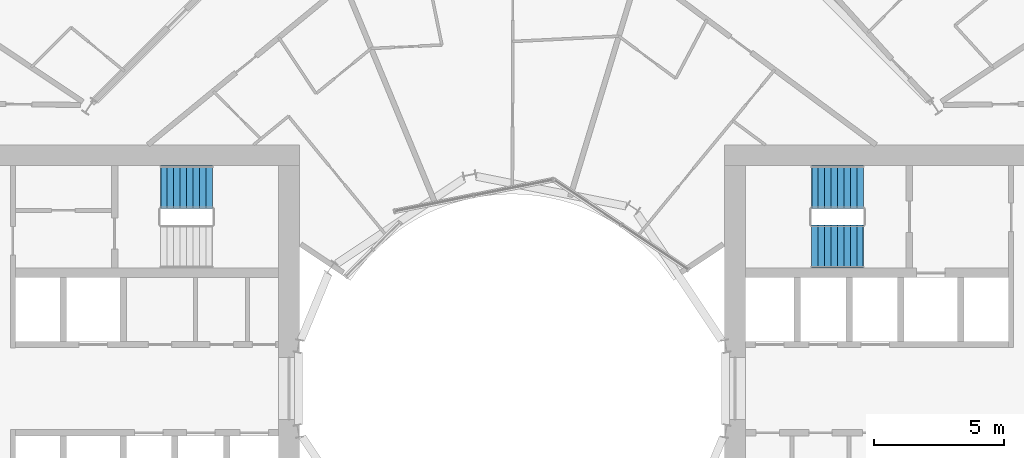
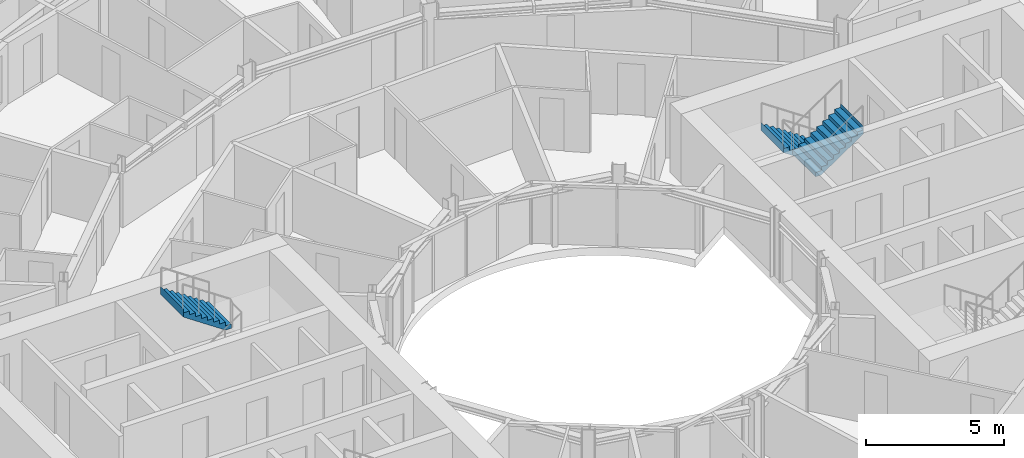
# One storey, part 24 of 25: 3 stair flights, 2 elements without a shape of their own.
"""IFC4 building model written with IfcOpenShell, lengths in metres."""

import ifcopenshell
import ifcopenshell.guid

model = None  # the IFC model being written
_history = None  # IfcOwnerHistory: only IFC2X3 demands one
_inside = {}  # id of a spatial element -> (the spatial element, [elements in it])
_under = {}  # id of a project, library or spatial element -> (it, [spatial elements below it])
_declared = {}  # id of a project -> (the project, [libraries it declares])
_typed = {}  # id of a type object -> (the type object, [elements of that type])
_made_of = {}  # id of a material, layer set ... -> (it, [elements and type objects made of it])


def new_model(schema):
    """Start an empty IFC model of exactly this schema.

    Asked for "IFC4X3", IfcOpenShell would pick the latest addendum, in which some entities
    have other attributes; the version numbers below select the first issue.
    IFC2X3 requires an IfcOwnerHistory on every rooted entity: one is made here for all.
    """
    global model, _history
    if schema == "IFC4X3":
        model = ifcopenshell.file(schema_version=(4, 3, 0, 0))
    else:
        model = ifcopenshell.file(schema=schema)
    _inside.clear()
    _under.clear()
    _declared.clear()
    _typed.clear()
    _made_of.clear()
    _history = None
    if model.schema == "IFC2X3":
        org = make("IfcOrganization", Name="unknown")
        user = make(
            "IfcPersonAndOrganization",
            ThePerson=make("IfcPerson", FamilyName="unknown"),
            TheOrganization=org,
        )
        app = make(
            "IfcApplication",
            ApplicationDeveloper=org,
            Version="unknown",
            ApplicationFullName="unknown",
            ApplicationIdentifier="unknown",
        )
        _history = make(
            "IfcOwnerHistory",
            OwningUser=user,
            OwningApplication=app,
            ChangeAction="ADDED",
            CreationDate=0,
        )
    return model


def make(cls, **values):
    """One entity of the class cls with the attributes given. An attribute that is None is left unset."""
    return model.create_entity(
        cls, **{name: value for name, value in values.items() if value is not None}
    )


def rooted(cls, **values):
    """An entity with a GlobalId (a new one), such as an element, a storey or a relation."""
    return make(cls, GlobalId=ifcopenshell.guid.new(), OwnerHistory=_history, **values)


def si_unit(unit_type, name, prefix=None):
    """IfcSIUnit, for example si_unit("LENGTHUNIT", "METRE", prefix="MILLI")."""
    return make("IfcSIUnit", UnitType=unit_type, Prefix=prefix, Name=name)


def assignment(units):
    """IfcUnitAssignment: the units of a project."""
    return None if units is None else make("IfcUnitAssignment", Units=units)


def point(xyz):
    """IfcCartesianPoint."""
    return None if xyz is None else make("IfcCartesianPoint", Coordinates=xyz)


def direction(xyz):
    """IfcDirection."""
    return None if xyz is None else make("IfcDirection", DirectionRatios=xyz)


def frame(location, z_axis=None, x_axis=None):
    """IfcAxis2Placement3D, a coordinate frame: its origin and axes. An axis left out is left unset."""
    return make(
        "IfcAxis2Placement3D",
        Location=point(location),
        Axis=direction(z_axis),
        RefDirection=direction(x_axis),
    )


def origin():
    """The frame at (0, 0, 0) with its axes left unset."""
    return frame((0.0, 0.0, 0.0))


def place(relative_to, where):
    """IfcLocalPlacement: puts the frame where relative to a parent placement (None: the world)."""
    return make(
        "IfcLocalPlacement", PlacementRelTo=relative_to, RelativePlacement=where
    )


def context(
    kind, dimensions, precision=None, world=None, true_north=None, identifier=None
):
    """IfcGeometricRepresentationContext, for example the 3D "Model" context."""
    return make(
        "IfcGeometricRepresentationContext",
        ContextIdentifier=identifier,
        ContextType=kind,
        CoordinateSpaceDimension=dimensions,
        Precision=precision,
        WorldCoordinateSystem=world,
        TrueNorth=true_north,
    )


def subcontext(parent, identifier, kind, view, scale=None):
    """IfcGeometricRepresentationSubContext, for example "Body" below "Model"."""
    return make(
        "IfcGeometricRepresentationSubContext",
        ContextIdentifier=identifier,
        ContextType=kind,
        ParentContext=parent,
        TargetScale=scale,
        TargetView=view,
    )


def project(units=None, contexts=None):
    """IfcProject with its units and contexts."""
    return rooted(
        "IfcProject",
        Name="project",
        RepresentationContexts=contexts,
        UnitsInContext=assignment(units),
    )


def spatial(cls, under=None, at=None, **own):
    """A site, building, storey or space (cls), placed at a placement, below another one or the project."""
    s = rooted(cls, ObjectPlacement=at, **own)
    if under is not None:
        _under.setdefault(under.id(), (under, []))[1].append(s)
    return s


def point_list(points):
    """IfcCartesianPointList2D or 3D."""
    cls = (
        "IfcCartesianPointList2D" if len(points[0]) == 2 else "IfcCartesianPointList3D"
    )
    return make(cls, CoordList=points)


def triangles(points, corners, closed=None, point_numbers=None):
    """IfcTriangulatedFaceSet: each triangle names its three corners, points numbered from 1."""
    return make(
        "IfcTriangulatedFaceSet",
        Coordinates=point_list(points),
        Closed=closed,
        CoordIndex=corners,
        PnIndex=point_numbers,
    )


def shape(context_of_items, identifier, shape_type, items):
    """IfcShapeRepresentation: the items that make up one representation, for example the "Body"."""
    return make(
        "IfcShapeRepresentation",
        ContextOfItems=context_of_items,
        RepresentationIdentifier=identifier,
        RepresentationType=shape_type,
        Items=items,
    )


def material(Name=None, Category=None):
    """IfcMaterial."""
    return make("IfcMaterial", Name=Name, Category=Category)


def made_of(thing, what):
    """Note that an element or type object is made of a material, layer set ...; save() writes the relation."""
    if what is not None:
        _made_of.setdefault(what.id(), (what, []))[1].append(thing)
    return thing


def type_object(cls, material=None, **own):
    """A type object (cls), such as IfcWallType, which elements share."""
    return made_of(rooted(cls, **own), material)


def element(
    cls,
    number,
    at=None,
    inside=None,
    cuts=None,
    type_object=None,
    material=None,
    context=None,
    identifier="Body",
    shape_type=None,
    held_by="IfcProductDefinitionShape",
    body=None,
    shapes=None,
    **own,
):
    """One element of the class cls, such as IfcWall. Its Tag is "e" and its number.

    at: its placement. inside: the storey or other place that contains it. cuts: it is an
    opening in that element (IfcRelVoidsElement). A single representation is given by context,
    identifier, shape_type and body (its items); several are given by shapes. held_by: the class
    of the entity that holds the representations. save() writes the other relations.
    """
    e = rooted(cls, Tag="e%d" % number, ObjectPlacement=at, **own)
    if body is not None:
        shapes = [shape(context, identifier, shape_type, body)]
    if shapes is not None:
        e.Representation = make(held_by, Representations=shapes)
    if inside is not None:
        _inside.setdefault(inside.id(), (inside, []))[1].append(e)
    if cuts is not None:
        rooted(
            "IfcRelVoidsElement", RelatingBuildingElement=cuts, RelatedOpeningElement=e
        )
    if type_object is not None:
        _typed.setdefault(type_object.id(), (type_object, []))[1].append(e)
    return made_of(e, material)


def aggregate(whole, parts):
    """IfcRelAggregates: a whole, such as a stair, and the parts it consists of."""
    return rooted("IfcRelAggregates", RelatingObject=whole, RelatedObjects=parts)


def save(model, path):
    """Write the relations noted so far, then the file.

    IfcRelAggregates (storeys below a building ...), IfcRelContainedInSpatialStructure (elements
    in a storey), IfcRelDefinesByType, IfcRelAssociatesMaterial and IfcRelDeclares: one each for
    every whole, place, type object, material and project.
    """
    for whole, parts in _under.values():
        aggregate(whole, parts)
    for where, things in _inside.values():
        rooted(
            "IfcRelContainedInSpatialStructure",
            RelatedElements=things,
            RelatingStructure=where,
        )
    for kind, things in _typed.values():
        rooted("IfcRelDefinesByType", RelatedObjects=things, RelatingType=kind)
    for what, things in _made_of.values():
        rooted("IfcRelAssociatesMaterial", RelatedObjects=things, RelatingMaterial=what)
    for by, libraries in _declared.values():
        rooted("IfcRelDeclares", RelatingContext=by, RelatedDefinitions=libraries)
    model.write(path)


model = new_model("IFC4")

# Units and contexts
model_context = context("Model", 3, precision=1e-05, world=origin(), true_north=direction((0.0, 1.0)))
body_context = subcontext(model_context, "Body", "Model", "MODEL_VIEW")
ifc_project = project(units=[si_unit("LENGTHUNIT", "METRE"), si_unit("AREAUNIT", "SQUARE_METRE"), si_unit("VOLUMEUNIT", "CUBIC_METRE"), si_unit("PLANEANGLEUNIT", "RADIAN"), si_unit("MASSUNIT", "GRAM", prefix="KILO")], contexts=[model_context])

# Site, building, storey
site_placement = place(None, origin())
site = spatial("IfcSite", under=ifc_project, at=site_placement, CompositionType="ELEMENT")
building_placement = place(site_placement, origin())
building = spatial("IfcBuilding", under=site, at=building_placement, Name="Maasbend Ring Residences", CompositionType="ELEMENT")
storey_placement = place(building_placement, frame((0.0, 0.0, 41.10009765625)))
storey = spatial("IfcBuildingStorey", under=building, at=storey_placement, Name="L11", CompositionType="ELEMENT", Elevation=41.10009765625)

# Stair, stair flights
ifc_material_1 = material(Name="Concrete C40/50", Category="concrete")
stair_type = type_object("IfcStairType", Name="CORE STAIR 18 RISERS", PredefinedType="HALF_TURN_STAIR", material=ifc_material_1)
stair_1_placement = place(storey_placement, origin())
stair_1 = element("IfcStair", 1, at=stair_1_placement, inside=storey, type_object=stair_type, Name="L11 Exit stair ST-E1", PredefinedType="HALF_TURN_STAIR")
ifc_material_2 = material(Name="Concrete C40/50", Category="concrete")
stair_flight_type = type_object("IfcStairFlightType", Name="CORE STAIR FLIGHT 1650", PredefinedType="STRAIGHT", material=ifc_material_2)
stair_flight_1_placement = place(storey_placement, frame((13.550048828125, 7.77490234375, 0.0), z_axis=(0.0, 0.0, 1.0), x_axis=(-1.0, 0.0, 0.0)))
stair_flight_1 = element("IfcStairFlight", 2, at=stair_flight_1_placement, type_object=stair_flight_type, Name="ST-E1 flight 1", NumberOfRisers=9, NumberOfTreads=8, PredefinedType="STRAIGHT", RiserHeight=0.169444444, TreadLength=0.25, context=body_context, shape_type="Tessellation", body=[
    triangles([(0.24072265625, 0.824951171875, -0.02001953125), (2.0029296875, 0.824951171875, 1.174560546875), (2.0029296875, 0.824951171875, 1.52490234375), (1.989990234375, 0.824951171875, 1.35546875), (1.75, 0.824951171875, 1.35546875), (1.75, 0.824951171875, 1.18603515625), (1.5, 0.824951171875, 1.18603515625), (1.5, 0.824951171875, 1.0166015625), (1.25, 0.824951171875, 1.0166015625), (1.25, 0.824951171875, 0.84716796875), (1.0, 0.824951171875, 0.84716796875), (1.0, 0.824951171875, 0.677734375), (0.75, 0.824951171875, 0.677734375), (0.75, 0.824951171875, 0.50830078125), (0.5, 0.824951171875, 0.50830078125), (0.5, 0.824951171875, 0.3388671875), (0.25, 0.824951171875, 0.3388671875), (0.25, 0.824951171875, 0.16943359375), (0.0, 0.824951171875, 0.16943359375), (0.0, 0.824951171875, 0.0), (-0.0029296875, 0.824951171875, 0.0), (-0.0029296875, 0.824951171875, -0.02001953125), (0.24072265625, 0.27490234375, -0.02001953125), (2.0029296875, 0.27490234375, 1.174560546875), (2.0029296875, 0.27490234375, 1.52490234375), (1.989990234375, 0.27490234375, 1.35546875), (1.75, 0.27490234375, 1.35546875), (1.75, 0.27490234375, 1.18603515625), (1.5, 0.27490234375, 1.18603515625), (1.5, 0.27490234375, 1.0166015625), (1.25, 0.27490234375, 1.0166015625), (1.25, 0.27490234375, 0.84716796875), (1.0, 0.27490234375, 0.84716796875), (1.0, 0.27490234375, 0.677734375), (0.75, 0.27490234375, 0.677734375), (0.75, 0.27490234375, 0.50830078125), (0.5, 0.27490234375, 0.50830078125), (0.5, 0.27490234375, 0.3388671875), (0.25, 0.27490234375, 0.3388671875), (0.25, 0.27490234375, 0.16943359375), (0.0, 0.27490234375, 0.16943359375), (0.0, 0.27490234375, 0.0), (-0.0029296875, 0.27490234375, 0.0), (-0.0029296875, 0.27490234375, -0.02001953125), (0.24072265625, -0.27490234375, -0.02001953125), (2.0029296875, -0.27490234375, 1.174560546875), (2.0029296875, -0.27490234375, 1.52490234375), (1.989990234375, -0.27490234375, 1.35546875), (1.75, -0.27490234375, 1.35546875), (1.75, -0.27490234375, 1.18603515625), (1.5, -0.27490234375, 1.18603515625), (1.5, -0.27490234375, 1.0166015625), (1.25, -0.27490234375, 1.0166015625), (1.25, -0.27490234375, 0.84716796875), (1.0, -0.27490234375, 0.84716796875), (1.0, -0.27490234375, 0.677734375), (0.75, -0.27490234375, 0.677734375), (0.75, -0.27490234375, 0.50830078125), (0.5, -0.27490234375, 0.50830078125), (0.5, -0.27490234375, 0.3388671875), (0.25, -0.27490234375, 0.3388671875), (0.25, -0.27490234375, 0.16943359375), (0.0, -0.27490234375, 0.16943359375), (0.0, -0.27490234375, 0.0), (-0.0029296875, -0.27490234375, 0.0), (-0.0029296875, -0.27490234375, -0.02001953125), (0.24072265625, -0.824951171875, -0.02001953125), (2.0029296875, -0.824951171875, 1.174560546875), (2.0029296875, -0.824951171875, 1.52490234375), (1.989990234375, -0.824951171875, 1.35546875), (1.75, -0.824951171875, 1.35546875), (1.75, -0.824951171875, 1.18603515625), (1.5, -0.824951171875, 1.18603515625), (1.5, -0.824951171875, 1.0166015625), (1.25, -0.824951171875, 1.0166015625), (1.25, -0.824951171875, 0.84716796875), (1.0, -0.824951171875, 0.84716796875), (1.0, -0.824951171875, 0.677734375), (0.75, -0.824951171875, 0.677734375), (0.75, -0.824951171875, 0.50830078125), (0.5, -0.824951171875, 0.50830078125), (0.5, -0.824951171875, 0.3388671875), (0.25, -0.824951171875, 0.3388671875), (0.25, -0.824951171875, 0.16943359375), (0.0, -0.824951171875, 0.16943359375), (0.0, -0.824951171875, 0.0), (-0.0029296875, -0.824951171875, 0.0), (-0.0029296875, -0.824951171875, -0.02001953125)], [[1, 2, 24], [1, 24, 23], [23, 24, 46], [23, 46, 45], [45, 46, 68], [45, 68, 67], [2, 3, 25], [2, 25, 24], [24, 25, 47], [24, 47, 46], [46, 47, 69], [46, 69, 68], [3, 4, 26], [3, 26, 25], [25, 26, 48], [25, 48, 47], [47, 48, 70], [47, 70, 69], [4, 5, 27], [4, 27, 26], [26, 27, 49], [26, 49, 48], [48, 49, 71], [48, 71, 70], [5, 6, 28], [5, 28, 27], [27, 28, 50], [27, 50, 49], [49, 50, 72], [49, 72, 71], [6, 7, 29], [6, 29, 28], [28, 29, 51], [28, 51, 50], [50, 51, 73], [50, 73, 72], [7, 8, 30], [7, 30, 29], [29, 30, 52], [29, 52, 51], [51, 52, 74], [51, 74, 73], [8, 9, 31], [8, 31, 30], [30, 31, 53], [30, 53, 52], [52, 53, 75], [52, 75, 74], [9, 10, 32], [9, 32, 31], [31, 32, 54], [31, 54, 53], [53, 54, 76], [53, 76, 75], [10, 11, 33], [10, 33, 32], [32, 33, 55], [32, 55, 54], [54, 55, 77], [54, 77, 76], [11, 12, 34], [11, 34, 33], [33, 34, 56], [33, 56, 55], [55, 56, 78], [55, 78, 77], [12, 13, 35], [12, 35, 34], [34, 35, 57], [34, 57, 56], [56, 57, 79], [56, 79, 78], [13, 14, 36], [13, 36, 35], [35, 36, 58], [35, 58, 57], [57, 58, 80], [57, 80, 79], [14, 15, 37], [14, 37, 36], [36, 37, 59], [36, 59, 58], [58, 59, 81], [58, 81, 80], [15, 16, 38], [15, 38, 37], [37, 38, 60], [37, 60, 59], [59, 60, 82], [59, 82, 81], [16, 17, 39], [16, 39, 38], [38, 39, 61], [38, 61, 60], [60, 61, 83], [60, 83, 82], [17, 18, 40], [17, 40, 39], [39, 40, 62], [39, 62, 61], [61, 62, 84], [61, 84, 83], [18, 19, 41], [18, 41, 40], [40, 41, 63], [40, 63, 62], [62, 63, 85], [62, 85, 84], [19, 20, 42], [19, 42, 41], [41, 42, 64], [41, 64, 63], [63, 64, 86], [63, 86, 85], [20, 21, 43], [20, 43, 42], [42, 43, 65], [42, 65, 64], [64, 65, 87], [64, 87, 86], [21, 22, 44], [21, 44, 43], [43, 44, 66], [43, 66, 65], [65, 66, 88], [65, 88, 87], [22, 1, 23], [22, 23, 44], [44, 23, 45], [44, 45, 66], [66, 45, 67], [66, 67, 88], [22, 2, 1], [2, 4, 3], [2, 5, 4], [2, 6, 5], [22, 6, 2], [6, 8, 7], [22, 8, 6], [8, 10, 9], [22, 10, 8], [10, 12, 11], [22, 12, 10], [12, 14, 13], [22, 14, 12], [14, 16, 15], [22, 16, 14], [16, 18, 17], [22, 18, 16], [18, 20, 19], [22, 20, 18], [20, 22, 21], [88, 67, 68], [68, 69, 70], [68, 70, 71], [68, 71, 72], [88, 68, 72], [72, 73, 74], [88, 72, 74], [74, 75, 76], [88, 74, 76], [76, 77, 78], [88, 76, 78], [78, 79, 80], [88, 78, 80], [80, 81, 82], [88, 80, 82], [82, 83, 84], [88, 82, 84], [84, 85, 86], [88, 84, 86], [86, 87, 88]], closed=True),
])
stair_flight_2_placement = place(storey_placement, frame((11.550048828125, 5.47509765625, 1.52490234375), z_axis=(0.0, 0.0, 1.0), x_axis=(1.0, 0.0, 0.0)))
stair_flight_2 = element("IfcStairFlight", 3, at=stair_flight_2_placement, type_object=stair_flight_type, Name="ST-E1 flight 2", NumberOfRisers=9, NumberOfTreads=8, PredefinedType="STRAIGHT", RiserHeight=0.169444444, TreadLength=0.25, context=body_context, shape_type="Tessellation", body=[
    triangles([(0.24072265625, 0.824951171875, -0.02001953125), (2.0029296875, 0.824951171875, 1.174560546875), (2.0029296875, 0.824951171875, 1.52490234375), (1.989990234375, 0.824951171875, 1.35546875), (1.75, 0.824951171875, 1.35546875), (1.75, 0.824951171875, 1.18603515625), (1.5, 0.824951171875, 1.18603515625), (1.5, 0.824951171875, 1.0166015625), (1.25, 0.824951171875, 1.0166015625), (1.25, 0.824951171875, 0.84716796875), (1.0, 0.824951171875, 0.84716796875), (1.0, 0.824951171875, 0.677734375), (0.75, 0.824951171875, 0.677734375), (0.75, 0.824951171875, 0.50830078125), (0.5, 0.824951171875, 0.50830078125), (0.5, 0.824951171875, 0.3388671875), (0.25, 0.824951171875, 0.3388671875), (0.25, 0.824951171875, 0.16943359375), (0.0, 0.824951171875, 0.16943359375), (0.0, 0.824951171875, 0.0), (-0.0029296875, 0.824951171875, 0.0), (-0.0029296875, 0.824951171875, -0.02001953125), (0.24072265625, 0.27490234375, -0.02001953125), (2.0029296875, 0.27490234375, 1.174560546875), (2.0029296875, 0.27490234375, 1.52490234375), (1.989990234375, 0.27490234375, 1.35546875), (1.75, 0.27490234375, 1.35546875), (1.75, 0.27490234375, 1.18603515625), (1.5, 0.27490234375, 1.18603515625), (1.5, 0.27490234375, 1.0166015625), (1.25, 0.27490234375, 1.0166015625), (1.25, 0.27490234375, 0.84716796875), (1.0, 0.27490234375, 0.84716796875), (1.0, 0.27490234375, 0.677734375), (0.75, 0.27490234375, 0.677734375), (0.75, 0.27490234375, 0.50830078125), (0.5, 0.27490234375, 0.50830078125), (0.5, 0.27490234375, 0.3388671875), (0.25, 0.27490234375, 0.3388671875), (0.25, 0.27490234375, 0.16943359375), (0.0, 0.27490234375, 0.16943359375), (0.0, 0.27490234375, 0.0), (-0.0029296875, 0.27490234375, 0.0), (-0.0029296875, 0.27490234375, -0.02001953125), (0.24072265625, -0.27490234375, -0.02001953125), (2.0029296875, -0.27490234375, 1.174560546875), (2.0029296875, -0.27490234375, 1.52490234375), (1.989990234375, -0.27490234375, 1.35546875), (1.75, -0.27490234375, 1.35546875), (1.75, -0.27490234375, 1.18603515625), (1.5, -0.27490234375, 1.18603515625), (1.5, -0.27490234375, 1.0166015625), (1.25, -0.27490234375, 1.0166015625), (1.25, -0.27490234375, 0.84716796875), (1.0, -0.27490234375, 0.84716796875), (1.0, -0.27490234375, 0.677734375), (0.75, -0.27490234375, 0.677734375), (0.75, -0.27490234375, 0.50830078125), (0.5, -0.27490234375, 0.50830078125), (0.5, -0.27490234375, 0.3388671875), (0.25, -0.27490234375, 0.3388671875), (0.25, -0.27490234375, 0.16943359375), (0.0, -0.27490234375, 0.16943359375), (0.0, -0.27490234375, 0.0), (-0.0029296875, -0.27490234375, 0.0), (-0.0029296875, -0.27490234375, -0.02001953125), (0.24072265625, -0.824951171875, -0.02001953125), (2.0029296875, -0.824951171875, 1.174560546875), (2.0029296875, -0.824951171875, 1.52490234375), (1.989990234375, -0.824951171875, 1.35546875), (1.75, -0.824951171875, 1.35546875), (1.75, -0.824951171875, 1.18603515625), (1.5, -0.824951171875, 1.18603515625), (1.5, -0.824951171875, 1.0166015625), (1.25, -0.824951171875, 1.0166015625), (1.25, -0.824951171875, 0.84716796875), (1.0, -0.824951171875, 0.84716796875), (1.0, -0.824951171875, 0.677734375), (0.75, -0.824951171875, 0.677734375), (0.75, -0.824951171875, 0.50830078125), (0.5, -0.824951171875, 0.50830078125), (0.5, -0.824951171875, 0.3388671875), (0.25, -0.824951171875, 0.3388671875), (0.25, -0.824951171875, 0.16943359375), (0.0, -0.824951171875, 0.16943359375), (0.0, -0.824951171875, 0.0), (-0.0029296875, -0.824951171875, 0.0), (-0.0029296875, -0.824951171875, -0.02001953125)], [[1, 2, 24], [1, 24, 23], [23, 24, 46], [23, 46, 45], [45, 46, 68], [45, 68, 67], [2, 3, 25], [2, 25, 24], [24, 25, 47], [24, 47, 46], [46, 47, 69], [46, 69, 68], [3, 4, 26], [3, 26, 25], [25, 26, 48], [25, 48, 47], [47, 48, 70], [47, 70, 69], [4, 5, 27], [4, 27, 26], [26, 27, 49], [26, 49, 48], [48, 49, 71], [48, 71, 70], [5, 6, 28], [5, 28, 27], [27, 28, 50], [27, 50, 49], [49, 50, 72], [49, 72, 71], [6, 7, 29], [6, 29, 28], [28, 29, 51], [28, 51, 50], [50, 51, 73], [50, 73, 72], [7, 8, 30], [7, 30, 29], [29, 30, 52], [29, 52, 51], [51, 52, 74], [51, 74, 73], [8, 9, 31], [8, 31, 30], [30, 31, 53], [30, 53, 52], [52, 53, 75], [52, 75, 74], [9, 10, 32], [9, 32, 31], [31, 32, 54], [31, 54, 53], [53, 54, 76], [53, 76, 75], [10, 11, 33], [10, 33, 32], [32, 33, 55], [32, 55, 54], [54, 55, 77], [54, 77, 76], [11, 12, 34], [11, 34, 33], [33, 34, 56], [33, 56, 55], [55, 56, 78], [55, 78, 77], [12, 13, 35], [12, 35, 34], [34, 35, 57], [34, 57, 56], [56, 57, 79], [56, 79, 78], [13, 14, 36], [13, 36, 35], [35, 36, 58], [35, 58, 57], [57, 58, 80], [57, 80, 79], [14, 15, 37], [14, 37, 36], [36, 37, 59], [36, 59, 58], [58, 59, 81], [58, 81, 80], [15, 16, 38], [15, 38, 37], [37, 38, 60], [37, 60, 59], [59, 60, 82], [59, 82, 81], [16, 17, 39], [16, 39, 38], [38, 39, 61], [38, 61, 60], [60, 61, 83], [60, 83, 82], [17, 18, 40], [17, 40, 39], [39, 40, 62], [39, 62, 61], [61, 62, 84], [61, 84, 83], [18, 19, 41], [18, 41, 40], [40, 41, 63], [40, 63, 62], [62, 63, 85], [62, 85, 84], [19, 20, 42], [19, 42, 41], [41, 42, 64], [41, 64, 63], [63, 64, 86], [63, 86, 85], [20, 21, 43], [20, 43, 42], [42, 43, 65], [42, 65, 64], [64, 65, 87], [64, 87, 86], [21, 22, 44], [21, 44, 43], [43, 44, 66], [43, 66, 65], [65, 66, 88], [65, 88, 87], [22, 1, 23], [22, 23, 44], [44, 23, 45], [44, 45, 66], [66, 45, 67], [66, 67, 88], [22, 2, 1], [2, 4, 3], [2, 5, 4], [2, 6, 5], [22, 6, 2], [6, 8, 7], [22, 8, 6], [8, 10, 9], [22, 10, 8], [10, 12, 11], [22, 12, 10], [12, 14, 13], [22, 14, 12], [14, 16, 15], [22, 16, 14], [16, 18, 17], [22, 18, 16], [18, 20, 19], [22, 20, 18], [20, 22, 21], [88, 67, 68], [68, 69, 70], [68, 70, 71], [68, 71, 72], [88, 68, 72], [72, 73, 74], [88, 72, 74], [74, 75, 76], [88, 74, 76], [76, 77, 78], [88, 76, 78], [78, 79, 80], [88, 78, 80], [80, 81, 82], [88, 80, 82], [82, 83, 84], [88, 82, 84], [84, 85, 86], [88, 84, 86], [86, 87, 88]], closed=True),
])
aggregate(stair_1, [stair_flight_1, stair_flight_2])

# Stair, stair flight
stair_2_placement = place(storey_placement, origin())
stair_2 = element("IfcStair", 4, at=stair_2_placement, inside=storey, type_object=stair_type, Name="L11 Exit stair ST-W2", PredefinedType="HALF_TURN_STAIR")
stair_flight_3_placement = place(storey_placement, frame((-11.550048828125, 7.77490234375, 1.52490234375), z_axis=(0.0, 0.0, 1.0), x_axis=(-1.0, 0.0, 0.0)))
stair_flight_3 = element("IfcStairFlight", 5, at=stair_flight_3_placement, type_object=stair_flight_type, Name="ST-W2 flight 2", NumberOfRisers=9, NumberOfTreads=8, PredefinedType="STRAIGHT", RiserHeight=0.169444444, TreadLength=0.25, context=body_context, shape_type="Tessellation", body=[
    triangles([(0.24072265625, 0.824951171875, -0.02001953125), (2.0029296875, 0.824951171875, 1.174560546875), (2.0029296875, 0.824951171875, 1.52490234375), (1.989990234375, 0.824951171875, 1.35546875), (1.75, 0.824951171875, 1.35546875), (1.75, 0.824951171875, 1.18603515625), (1.5, 0.824951171875, 1.18603515625), (1.5, 0.824951171875, 1.0166015625), (1.25, 0.824951171875, 1.0166015625), (1.25, 0.824951171875, 0.84716796875), (1.0, 0.824951171875, 0.84716796875), (1.0, 0.824951171875, 0.677734375), (0.75, 0.824951171875, 0.677734375), (0.75, 0.824951171875, 0.50830078125), (0.5, 0.824951171875, 0.50830078125), (0.5, 0.824951171875, 0.3388671875), (0.25, 0.824951171875, 0.3388671875), (0.25, 0.824951171875, 0.16943359375), (0.0, 0.824951171875, 0.16943359375), (0.0, 0.824951171875, 0.0), (-0.0029296875, 0.824951171875, 0.0), (-0.0029296875, 0.824951171875, -0.02001953125), (0.24072265625, 0.27490234375, -0.02001953125), (2.0029296875, 0.27490234375, 1.174560546875), (2.0029296875, 0.27490234375, 1.52490234375), (1.989990234375, 0.27490234375, 1.35546875), (1.75, 0.27490234375, 1.35546875), (1.75, 0.27490234375, 1.18603515625), (1.5, 0.27490234375, 1.18603515625), (1.5, 0.27490234375, 1.0166015625), (1.25, 0.27490234375, 1.0166015625), (1.25, 0.27490234375, 0.84716796875), (1.0, 0.27490234375, 0.84716796875), (1.0, 0.27490234375, 0.677734375), (0.75, 0.27490234375, 0.677734375), (0.75, 0.27490234375, 0.50830078125), (0.5, 0.27490234375, 0.50830078125), (0.5, 0.27490234375, 0.3388671875), (0.25, 0.27490234375, 0.3388671875), (0.25, 0.27490234375, 0.16943359375), (0.0, 0.27490234375, 0.16943359375), (0.0, 0.27490234375, 0.0), (-0.0029296875, 0.27490234375, 0.0), (-0.0029296875, 0.27490234375, -0.02001953125), (0.24072265625, -0.27490234375, -0.02001953125), (2.0029296875, -0.27490234375, 1.174560546875), (2.0029296875, -0.27490234375, 1.52490234375), (1.989990234375, -0.27490234375, 1.35546875), (1.75, -0.27490234375, 1.35546875), (1.75, -0.27490234375, 1.18603515625), (1.5, -0.27490234375, 1.18603515625), (1.5, -0.27490234375, 1.0166015625), (1.25, -0.27490234375, 1.0166015625), (1.25, -0.27490234375, 0.84716796875), (1.0, -0.27490234375, 0.84716796875), (1.0, -0.27490234375, 0.677734375), (0.75, -0.27490234375, 0.677734375), (0.75, -0.27490234375, 0.50830078125), (0.5, -0.27490234375, 0.50830078125), (0.5, -0.27490234375, 0.3388671875), (0.25, -0.27490234375, 0.3388671875), (0.25, -0.27490234375, 0.16943359375), (0.0, -0.27490234375, 0.16943359375), (0.0, -0.27490234375, 0.0), (-0.0029296875, -0.27490234375, 0.0), (-0.0029296875, -0.27490234375, -0.02001953125), (0.24072265625, -0.824951171875, -0.02001953125), (2.0029296875, -0.824951171875, 1.174560546875), (2.0029296875, -0.824951171875, 1.52490234375), (1.989990234375, -0.824951171875, 1.35546875), (1.75, -0.824951171875, 1.35546875), (1.75, -0.824951171875, 1.18603515625), (1.5, -0.824951171875, 1.18603515625), (1.5, -0.824951171875, 1.0166015625), (1.25, -0.824951171875, 1.0166015625), (1.25, -0.824951171875, 0.84716796875), (1.0, -0.824951171875, 0.84716796875), (1.0, -0.824951171875, 0.677734375), (0.75, -0.824951171875, 0.677734375), (0.75, -0.824951171875, 0.50830078125), (0.5, -0.824951171875, 0.50830078125), (0.5, -0.824951171875, 0.3388671875), (0.25, -0.824951171875, 0.3388671875), (0.25, -0.824951171875, 0.16943359375), (0.0, -0.824951171875, 0.16943359375), (0.0, -0.824951171875, 0.0), (-0.0029296875, -0.824951171875, 0.0), (-0.0029296875, -0.824951171875, -0.02001953125)], [[1, 2, 24], [1, 24, 23], [23, 24, 46], [23, 46, 45], [45, 46, 68], [45, 68, 67], [2, 3, 25], [2, 25, 24], [24, 25, 47], [24, 47, 46], [46, 47, 69], [46, 69, 68], [3, 4, 26], [3, 26, 25], [25, 26, 48], [25, 48, 47], [47, 48, 70], [47, 70, 69], [4, 5, 27], [4, 27, 26], [26, 27, 49], [26, 49, 48], [48, 49, 71], [48, 71, 70], [5, 6, 28], [5, 28, 27], [27, 28, 50], [27, 50, 49], [49, 50, 72], [49, 72, 71], [6, 7, 29], [6, 29, 28], [28, 29, 51], [28, 51, 50], [50, 51, 73], [50, 73, 72], [7, 8, 30], [7, 30, 29], [29, 30, 52], [29, 52, 51], [51, 52, 74], [51, 74, 73], [8, 9, 31], [8, 31, 30], [30, 31, 53], [30, 53, 52], [52, 53, 75], [52, 75, 74], [9, 10, 32], [9, 32, 31], [31, 32, 54], [31, 54, 53], [53, 54, 76], [53, 76, 75], [10, 11, 33], [10, 33, 32], [32, 33, 55], [32, 55, 54], [54, 55, 77], [54, 77, 76], [11, 12, 34], [11, 34, 33], [33, 34, 56], [33, 56, 55], [55, 56, 78], [55, 78, 77], [12, 13, 35], [12, 35, 34], [34, 35, 57], [34, 57, 56], [56, 57, 79], [56, 79, 78], [13, 14, 36], [13, 36, 35], [35, 36, 58], [35, 58, 57], [57, 58, 80], [57, 80, 79], [14, 15, 37], [14, 37, 36], [36, 37, 59], [36, 59, 58], [58, 59, 81], [58, 81, 80], [15, 16, 38], [15, 38, 37], [37, 38, 60], [37, 60, 59], [59, 60, 82], [59, 82, 81], [16, 17, 39], [16, 39, 38], [38, 39, 61], [38, 61, 60], [60, 61, 83], [60, 83, 82], [17, 18, 40], [17, 40, 39], [39, 40, 62], [39, 62, 61], [61, 62, 84], [61, 84, 83], [18, 19, 41], [18, 41, 40], [40, 41, 63], [40, 63, 62], [62, 63, 85], [62, 85, 84], [19, 20, 42], [19, 42, 41], [41, 42, 64], [41, 64, 63], [63, 64, 86], [63, 86, 85], [20, 21, 43], [20, 43, 42], [42, 43, 65], [42, 65, 64], [64, 65, 87], [64, 87, 86], [21, 22, 44], [21, 44, 43], [43, 44, 66], [43, 66, 65], [65, 66, 88], [65, 88, 87], [22, 1, 23], [22, 23, 44], [44, 23, 45], [44, 45, 66], [66, 45, 67], [66, 67, 88], [22, 2, 1], [2, 4, 3], [2, 5, 4], [2, 6, 5], [22, 6, 2], [6, 8, 7], [22, 8, 6], [8, 10, 9], [22, 10, 8], [10, 12, 11], [22, 12, 10], [12, 14, 13], [22, 14, 12], [14, 16, 15], [22, 16, 14], [16, 18, 17], [22, 18, 16], [18, 20, 19], [22, 20, 18], [20, 22, 21], [88, 67, 68], [68, 69, 70], [68, 70, 71], [68, 71, 72], [88, 68, 72], [72, 73, 74], [88, 72, 74], [74, 75, 76], [88, 74, 76], [76, 77, 78], [88, 76, 78], [78, 79, 80], [88, 78, 80], [80, 81, 82], [88, 80, 82], [82, 83, 84], [88, 82, 84], [84, 85, 86], [88, 84, 86], [86, 87, 88]], closed=True),
])
aggregate(stair_2, [stair_flight_3])

save(model, "model.ifc")
